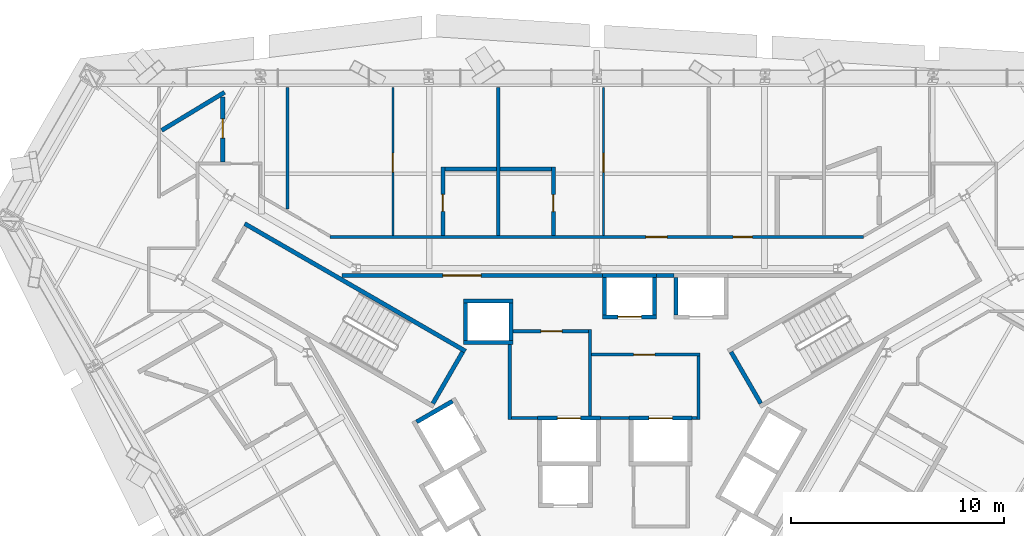
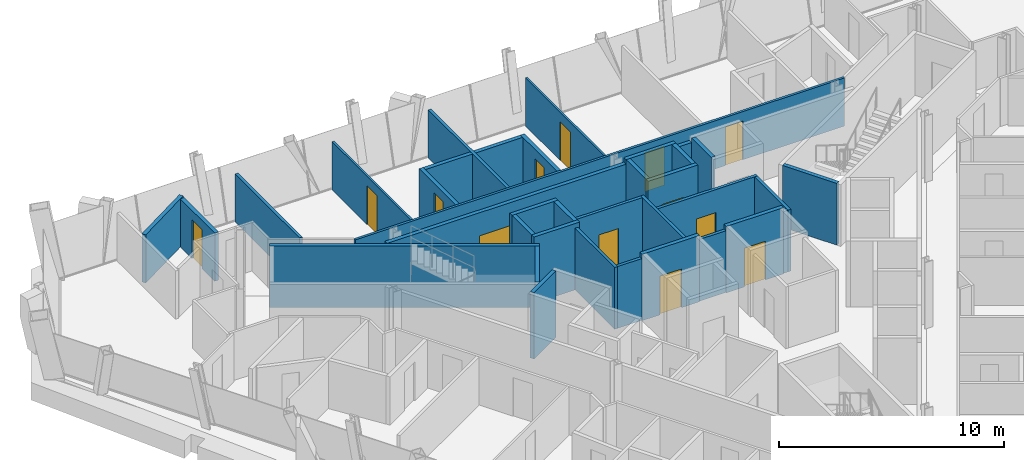
# One storey, part 10 of 13: 36 walls, 13 doors, 13 openings.
"""IFC4 building model written with IfcOpenShell, lengths in metres."""

from ifc_helpers import new_model, si_unit, direction, frame, frame_2d, origin, place, context, subcontext, project, spatial, rectangle, extrude, material, layer, layer_set, type_object, element, fill, save


model = new_model("IFC4")

# Units and contexts
model_context = context("Model", 3, precision=1e-05, world=origin(), true_north=direction((0.0, 1.0)))
body_context = subcontext(model_context, "Body", "Model", "MODEL_VIEW")
ifc_project = project(units=[si_unit("LENGTHUNIT", "METRE"), si_unit("AREAUNIT", "SQUARE_METRE"), si_unit("VOLUMEUNIT", "CUBIC_METRE"), si_unit("PLANEANGLEUNIT", "RADIAN"), si_unit("MASSUNIT", "GRAM", prefix="KILO")], contexts=[model_context])

# Site, building, storey
site_placement = place(None, origin())
site = spatial("IfcSite", under=ifc_project, at=site_placement, CompositionType="ELEMENT")
building_placement = place(site_placement, origin())
building = spatial("IfcBuilding", under=site, at=building_placement, Name="Verrane Prism Tower", CompositionType="ELEMENT")
storey_placement = place(building_placement, frame((0.0, 0.0, 100.0)))
storey = spatial("IfcBuildingStorey", under=building, at=storey_placement, Name="L23", CompositionType="ELEMENT", Elevation=100.0)

# Wall, opening, door
ifc_material_1 = material(Name="Gypsum board partition", Category="other")
ifc_layer_1 = layer(ifc_material_1, 0.199951171875)
ifc_layer_set_1 = layer_set([ifc_layer_1], Name="CW-200 core boundary wall 2 h")
wall_type_1 = type_object("IfcWallType", Name="CW-200 core boundary wall 2 h", PredefinedType="PARTITIONING", material=ifc_layer_set_1)
wall_1_placement = place(storey_placement, frame((0.262939453125, 8.860107421875, 0.0), z_axis=(0.0, 0.0, 1.0), x_axis=(-1.0, 0.0, 0.0)))
wall_1 = element("IfcWall", 1, at=wall_1_placement, inside=storey, type_object=wall_type_1, Name="Core boundary wall CW3-002", PredefinedType="PARTITIONING", context=body_context, shape_type="SweptSolid", body=[
    extrude(rectangle(XDim=12.25390625, YDim=0.199951171875, at=frame_2d((6.126953125, 0.0))), origin(), (0.0, 0.0, 1.0), 3.35009765625),
])
opening_1_placement = place(wall_1_placement, frame((5.708984375, 0.0, 0.0)))
opening_1 = element("IfcOpeningElement", 2, at=opening_1_placement, cuts=wall_1, Name="Opening D21511", PredefinedType="OPENING", context=body_context, shape_type="SweptSolid", body=[
    extrude(rectangle(XDim=1.800048828125, YDim=2.10009765625, at=frame_2d((0.89990234375, 1.050048828125))), frame((0.0, 0.10986328125, 0.0), z_axis=(0.0, -1.0, 0.0), x_axis=(1.0, 0.0, 0.0)), (0.0, 0.0, 1.0), 0.219970703125),
])
ifc_material_2 = material(Name="Timber veneered door leaf", Category="wood")
door_type_1 = type_object("IfcDoorType", Name="DR-1800x2100 FD60 double leaf lift lobby", OperationType="NOTDEFINED", PredefinedType="DOOR", material=ifc_material_2)
door_1_placement = place(opening_1_placement, origin())
door_1 = element("IfcDoor", 3, at=door_1_placement, inside=storey, type_object=door_type_1, Name="Lift lobby door D21511", OperationType="DOUBLE_DOOR_SINGLE_SWING", OverallHeight=2.10009765625, OverallWidth=1.800048828125, PredefinedType="DOOR", context=body_context, shape_type="SweptSolid", body=[
    extrude(rectangle(XDim=1.800048828125, YDim=2.10009765625, at=frame_2d((0.89990234375, 1.050048828125))), frame((0.0, 0.02490234375, 0.0), z_axis=(0.0, -1.0, 0.0), x_axis=(1.0, 0.0, 0.0)), (0.0, 0.0, 1.0), 0.050048828125),
])
fill(opening_1, door_1)

# Walls
wall_2_placement = place(storey_placement, frame((2.81689453125, 8.860107421875, 0.0), z_axis=(0.0, 0.0, 1.0), x_axis=(1.0, 0.0, 0.0)))
element("IfcWall", 4, at=wall_2_placement, inside=storey, type_object=wall_type_1, Name="Core boundary wall CW3-004", PredefinedType="PARTITIONING", context=body_context, shape_type="SweptSolid", body=[
    extrude(rectangle(XDim=0.80615234375, YDim=0.199951171875, at=frame_2d((0.403076171875, 0.0))), origin(), (0.0, 0.0, 1.0), 3.35009765625),
])
ifc_material_3 = material(Name="Concrete C40/50", Category="concrete")
ifc_layer_2 = layer(ifc_material_3, 0.199951171875)
ifc_layer_set_2 = layer_set([ifc_layer_2], Name="CW-200 stair core wall concrete C40/50 3 h")
wall_type_2 = type_object("IfcWallType", Name="CW-200 stair core wall concrete C40/50 3 h", PredefinedType="PARTITIONING", material=ifc_layer_set_2)
wall_3_placement = place(storey_placement, frame((7.71484375, 2.837646484375, 0.0), z_axis=(0.0, 0.0, 1.0), x_axis=(-0.500049511043, 0.865996816683, 0.0)))
element("IfcWall", 5, at=wall_3_placement, inside=storey, type_object=wall_type_2, Name="Stair 1 enclosure wall", PredefinedType="PARTITIONING", context=body_context, shape_type="SweptSolid", body=[
    extrude(rectangle(XDim=2.800048828125, YDim=0.199951171875, at=frame_2d((1.39990234375, 0.0))), origin(), (0.0, 0.0, 1.0), 3.35009765625),
])
wall_4_placement = place(storey_placement, frame((-6.17822265625, 5.299072265625, 0.0), z_axis=(0.0, 0.0, 1.0), x_axis=(-0.866026010844, 0.49999894854, 0.0)))
element("IfcWall", 6, at=wall_4_placement, inside=storey, type_object=wall_type_2, Name="Stair 2 enclosure wall", PredefinedType="PARTITIONING", context=body_context, shape_type="SweptSolid", body=[
    extrude(rectangle(XDim=12.0, YDim=0.199951171875, at=frame_2d((6.0, 0.0))), origin(), (0.0, 0.0, 1.0), 3.35009765625),
])
wall_5_placement = place(storey_placement, frame((-6.314697265625, 5.262451171875, 0.0), z_axis=(0.0, 0.0, 1.0), x_axis=(-0.500049511043, -0.865996816683, 0.0)))
element("IfcWall", 7, at=wall_5_placement, inside=storey, type_object=wall_type_2, Name="Stair 2 enclosure wall", PredefinedType="PARTITIONING", context=body_context, shape_type="SweptSolid", body=[
    extrude(rectangle(XDim=2.800048828125, YDim=0.199951171875, at=frame_2d((1.39990234375, 0.0))), origin(), (0.0, 0.0, 1.0), 3.35009765625),
])

# Wall, opening, door
ifc_material_4 = material(Name="Gypsum board shaft wall assembly", Category="other")
ifc_layer_3 = layer(ifc_material_4, 0.199951171875)
ifc_layer_set_3 = layer_set([ifc_layer_3], Name="HW-200 lift shaft wall 2 h")
wall_type_3 = type_object("IfcWallType", Name="HW-200 lift shaft wall 2 h", PredefinedType="PARTITIONING", material=ifc_layer_set_3)
wall_6_placement = place(storey_placement, frame((-2.784912109375, 2.14990234375, 0.0), z_axis=(0.0, 0.0, 1.0), x_axis=(1.0, 0.0, 0.0)))
wall_6 = element("IfcWall", 8, at=wall_6_placement, inside=storey, type_object=wall_type_3, Name="Lift shaft wall", PredefinedType="PARTITIONING", context=body_context, shape_type="SweptSolid", body=[
    extrude(rectangle(XDim=2.949951171875, YDim=0.199951171875, at=frame_2d((1.47509765625, 0.0))), origin(), (0.0, 0.0, 1.0), 3.60009765625),
])
opening_2_placement = place(wall_6_placement, frame((0.925048828125, 0.0, 0.0)))
opening_2 = element("IfcOpeningElement", 9, at=opening_2_placement, cuts=wall_6, Name="Opening D21508", PredefinedType="OPENING", context=body_context, shape_type="SweptSolid", body=[
    extrude(rectangle(XDim=1.10009765625, YDim=2.10009765625, at=frame_2d((0.550048828125, 1.050048828125))), frame((0.0, 0.10986328125, 0.0), z_axis=(0.0, -1.0, 0.0), x_axis=(1.0, 0.0, 0.0)), (0.0, 0.0, 1.0), 0.219970703125),
])
ifc_material_5 = material(Name="Stainless steel sliding landing door", Category="steel")
door_type_2 = type_object("IfcDoorType", Name="LD-1100x2100 lift landing door FD90 sliding", OperationType="NOTDEFINED", PredefinedType="DOOR", material=ifc_material_5)
door_2_placement = place(opening_2_placement, origin())
door_2 = element("IfcDoor", 10, at=door_2_placement, inside=storey, type_object=door_type_2, Name="Fire service lift 1 landing door", OperationType="SLIDING_TO_LEFT", OverallHeight=2.10009765625, OverallWidth=1.10009765625, PredefinedType="DOOR", context=body_context, shape_type="SweptSolid", body=[
    extrude(rectangle(XDim=1.10009765625, YDim=2.10009765625, at=frame_2d((0.550048828125, 1.050048828125))), frame((0.0, 0.02490234375, 0.0), z_axis=(0.0, -1.0, 0.0), x_axis=(1.0, 0.0, 0.0)), (0.0, 0.0, 1.0), 0.050048828125),
])
fill(opening_2, door_2)

wall_7_placement = place(storey_placement, frame((1.52490234375, 2.14990234375, 0.0), z_axis=(0.0, 0.0, 1.0), x_axis=(1.0, 0.0, 0.0)))
wall_7 = element("IfcWall", 11, at=wall_7_placement, inside=storey, type_object=wall_type_3, Name="Lift shaft wall", PredefinedType="PARTITIONING", context=body_context, shape_type="SweptSolid", body=[
    extrude(rectangle(XDim=2.9501953125, YDim=0.199951171875, at=frame_2d((1.47509765625, 0.0))), origin(), (0.0, 0.0, 1.0), 3.60009765625),
])
opening_3_placement = place(wall_7_placement, frame((0.925048828125, 0.0, 0.0)))
opening_3 = element("IfcOpeningElement", 12, at=opening_3_placement, cuts=wall_7, Name="Opening D21509", PredefinedType="OPENING", context=body_context, shape_type="SweptSolid", body=[
    extrude(rectangle(XDim=1.10009765625, YDim=2.10009765625, at=frame_2d((0.550048828125, 1.050048828125))), frame((0.0, 0.10986328125, 0.0), z_axis=(0.0, -1.0, 0.0), x_axis=(1.0, 0.0, 0.0)), (0.0, 0.0, 1.0), 0.219970703125),
])
door_3_placement = place(opening_3_placement, origin())
door_3 = element("IfcDoor", 13, at=door_3_placement, inside=storey, type_object=door_type_2, Name="Fire service lift 2 landing door", OperationType="SLIDING_TO_RIGHT", OverallHeight=2.10009765625, OverallWidth=1.10009765625, PredefinedType="DOOR", context=body_context, shape_type="SweptSolid", body=[
    extrude(rectangle(XDim=1.10009765625, YDim=2.10009765625, at=frame_2d((0.550048828125, 1.050048828125))), frame((0.0, 0.02490234375, 0.0), z_axis=(0.0, -1.0, 0.0), x_axis=(1.0, 0.0, 0.0)), (0.0, 0.0, 1.0), 0.050048828125),
])
fill(opening_3, door_3)

# Wall
wall_8_placement = place(storey_placement, frame((-6.284912109375, 5.7099609375, 0.0), z_axis=(0.0, 0.0, 1.0), x_axis=(1.0, 0.0, 0.0)))
element("IfcWall", 14, at=wall_8_placement, inside=storey, type_object=wall_type_3, Name="Lift shaft wall", PredefinedType="PARTITIONING", context=body_context, shape_type="SweptSolid", body=[
    extrude(rectangle(XDim=2.349853515625, YDim=0.199951171875, at=frame_2d((1.1748046875, 0.0))), origin(), (0.0, 0.0, 1.0), 3.60009765625),
])

# Wall, opening, door
wall_9_placement = place(storey_placement, frame((0.264892578125, 6.909912109375, 0.0), z_axis=(0.0, 0.0, 1.0), x_axis=(1.0, 0.0, 0.0)))
wall_9 = element("IfcWall", 15, at=wall_9_placement, inside=storey, type_object=wall_type_3, Name="Lift shaft wall", PredefinedType="PARTITIONING", context=body_context, shape_type="SweptSolid", body=[
    extrude(rectangle(XDim=2.550048828125, YDim=0.199951171875, at=frame_2d((1.27490234375, 0.0))), origin(), (0.0, 0.0, 1.0), 3.60009765625),
])
opening_4_placement = place(wall_9_placement, frame((0.72509765625, 0.0, 0.0)))
opening_4 = element("IfcOpeningElement", 16, at=opening_4_placement, cuts=wall_9, Name="Opening D21503", PredefinedType="OPENING", context=body_context, shape_type="SweptSolid", body=[
    extrude(rectangle(XDim=1.10009765625, YDim=2.10009765625, at=frame_2d((0.550048828125, 1.050048828125))), frame((0.0, 0.10986328125, 0.0), z_axis=(0.0, -1.0, 0.0), x_axis=(1.0, 0.0, 0.0)), (0.0, 0.0, 1.0), 0.219970703125),
])
door_4_placement = place(opening_4_placement, origin())
door_4 = element("IfcDoor", 17, at=door_4_placement, inside=storey, type_object=door_type_2, Name="Bank A lift 1 landing door", OperationType="SLIDING_TO_LEFT", OverallHeight=2.10009765625, OverallWidth=1.10009765625, PredefinedType="DOOR", context=body_context, shape_type="SweptSolid", body=[
    extrude(rectangle(XDim=1.10009765625, YDim=2.10009765625, at=frame_2d((0.550048828125, 1.050048828125))), frame((0.0, 0.02490234375, 0.0), z_axis=(0.0, -1.0, 0.0), x_axis=(1.0, 0.0, 0.0)), (0.0, 0.0, 1.0), 0.050048828125),
])
fill(opening_4, door_4)

# Walls
wall_10_placement = place(storey_placement, frame((-6.284912109375, 7.659912109375, 0.0), z_axis=(0.0, 0.0, 1.0), x_axis=(1.0, 0.0, 0.0)))
element("IfcWall", 18, at=wall_10_placement, inside=storey, type_object=wall_type_3, Name="Lift shaft wall", PredefinedType="PARTITIONING", context=body_context, shape_type="SweptSolid", body=[
    extrude(rectangle(XDim=2.349853515625, YDim=0.199951171875, at=frame_2d((1.1748046875, 0.0))), origin(), (0.0, 0.0, 1.0), 3.60009765625),
])
wall_11_placement = place(storey_placement, frame((0.264892578125, 8.860107421875, 0.0), z_axis=(0.0, 0.0, 1.0), x_axis=(1.0, 0.0, 0.0)))
element("IfcWall", 19, at=wall_11_placement, inside=storey, type_object=wall_type_3, Name="Lift shaft wall", PredefinedType="PARTITIONING", context=body_context, shape_type="SweptSolid", body=[
    extrude(rectangle(XDim=2.550048828125, YDim=0.199951171875, at=frame_2d((1.27490234375, 0.0))), origin(), (0.0, 0.0, 1.0), 3.60009765625),
])
wall_12_placement = place(storey_placement, frame((-8.48046875, 1.968505859375, 0.0), z_axis=(0.0, 0.0, 1.0), x_axis=(0.866000020948, 0.500043961785, 0.0)))
element("IfcWall", 20, at=wall_12_placement, inside=storey, type_object=wall_type_3, Name="Lift shaft wall", PredefinedType="PARTITIONING", context=body_context, shape_type="SweptSolid", body=[
    extrude(rectangle(XDim=1.949951171875, YDim=0.199951171875, at=frame_2d((0.97509765625, 0.0))), origin(), (0.0, 0.0, 1.0), 3.60009765625),
])
for number, where, z_axis, x_axis, name in (
    (21, (3.72509765625, 7.010009765625, 0.0), (0.0, 0.0, 1.0), (0.0, 1.0, 0.0), "Lift shaft wall"),
    (22, (2.715087890625, 7.010009765625, 0.0), (0.0, 0.0, 1.0), (0.0, 1.0, 0.0), "Lift shaft wall"),
    (23, (0.364990234375, 7.010009765625, 0.0), (0.0, 0.0, 1.0), (0.0, 1.0, 0.0), "Lift shaft wall"),
    (24, (-4.034912109375, 5.81005859375, 0.0), (0.0, 0.0, 1.0), (0.0, 1.0, 0.0), "Lift shaft wall"),
    (25, (-6.18505859375, 5.81005859375, 0.0), (0.0, 0.0, 1.0), (0.0, 1.0, 0.0), "Lift shaft wall"),
):
    element("IfcWall", number, at=place(storey_placement, frame(where, z_axis=z_axis, x_axis=x_axis)), inside=storey, type_object=wall_type_3, Name=name, PredefinedType="PARTITIONING", context=body_context, shape_type="SweptSolid", body=[
        extrude(rectangle(XDim=1.75, YDim=0.199951171875, at=frame_2d((0.875, 0.0))), origin(), (0.0, 0.0, 1.0), 3.60009765625),
    ])
ifc_material_6 = material(Name="Gypsum board partition", Category="other")
ifc_layer_4 = layer(ifc_material_6, 0.14990234375)
ifc_layer_set_4 = layer_set([ifc_layer_4], Name="LF-150 firefighting lobby wall 1 h")
wall_type_4 = type_object("IfcWallType", Name="LF-150 firefighting lobby wall 1 h", PredefinedType="PARTITIONING", material=ifc_layer_set_4)
wall_13_placement = place(storey_placement, frame((-4.10009765625, 2.0849609375, 0.0), z_axis=(0.0, 0.0, 1.0), x_axis=(0.0, 1.0, 0.0)))
element("IfcWall", 26, at=wall_13_placement, inside=storey, type_object=wall_type_4, Name="Firefighting lobby wall LF1-001", PredefinedType="PARTITIONING", context=body_context, shape_type="SweptSolid", body=[
    extrude(rectangle(XDim=3.52294921875, YDim=0.14990234375, at=frame_2d((1.761474609375, 0.0))), origin(), (0.0, 0.0, 1.0), 3.35009765625),
])
wall_14_placement = place(storey_placement, frame((-4.02490234375, 2.159912109375, 0.0), z_axis=(0.0, 0.0, 1.0), x_axis=(1.0, 0.0, 0.0)))
element("IfcWall", 27, at=wall_14_placement, inside=storey, type_object=wall_type_4, Name="Firefighting lobby wall LF1-002", PredefinedType="PARTITIONING", context=body_context, shape_type="SweptSolid", body=[
    extrude(rectangle(XDim=1.23779296875, YDim=0.14990234375, at=frame_2d((0.618896484375, 0.0))), origin(), (0.0, 0.0, 1.0), 3.35009765625),
])

# Wall, opening, door
wall_15_placement = place(storey_placement, frame((-3.93310546875, 6.239990234375, 0.0), z_axis=(0.0, 0.0, 1.0), x_axis=(1.0, 0.0, 0.0)))
wall_15 = element("IfcWall", 28, at=wall_15_placement, inside=storey, type_object=wall_type_4, Name="Firefighting lobby wall LF1-003", PredefinedType="PARTITIONING", context=body_context, shape_type="SweptSolid", body=[
    extrude(rectangle(XDim=3.5380859375, YDim=0.14990234375, at=frame_2d((1.76904296875, 0.0))), origin(), (0.0, 0.0, 1.0), 3.35009765625),
])
opening_5_placement = place(wall_15_placement, frame((1.300048828125, 0.0, 0.0)))
opening_5 = element("IfcOpeningElement", 29, at=opening_5_placement, cuts=wall_15, Name="Opening D21515", PredefinedType="OPENING", context=body_context, shape_type="SweptSolid", body=[
    extrude(rectangle(XDim=1.0, YDim=2.10009765625, at=frame_2d((0.5, 1.050048828125))), frame((0.0, 0.0849609375, 0.0), z_axis=(0.0, -1.0, 0.0), x_axis=(1.0, 0.0, 0.0)), (0.0, 0.0, 1.0), 0.169921875),
])
ifc_material_7 = material(Name="Timber veneered door leaf", Category="wood")
door_type_3 = type_object("IfcDoorType", Name="DR-1000x2100 FD60 single leaf firefighting lobby", OperationType="NOTDEFINED", PredefinedType="DOOR", material=ifc_material_7)
door_5_placement = place(opening_5_placement, origin())
door_5 = element("IfcDoor", 30, at=door_5_placement, inside=storey, type_object=door_type_3, Name="Firefighting lobby door D21515", OperationType="SINGLE_SWING_LEFT", OverallHeight=2.10009765625, OverallWidth=1.0, PredefinedType="DOOR", context=body_context, shape_type="SweptSolid", body=[
    extrude(rectangle(XDim=1.0, YDim=2.10009765625, at=frame_2d((0.5, 1.050048828125))), frame((0.0, 0.02490234375, 0.0), z_axis=(0.0, -1.0, 0.0), x_axis=(1.0, 0.0, 0.0)), (0.0, 0.0, 1.0), 0.050048828125),
])
fill(opening_5, door_5)

# Wall
wall_16_placement = place(storey_placement, frame((-0.320068359375, 2.251953125, 0.0), z_axis=(0.0, 0.0, 1.0), x_axis=(0.0, 1.0, 0.0)))
element("IfcWall", 31, at=wall_16_placement, inside=storey, type_object=wall_type_4, Name="Firefighting lobby wall LF1-004", PredefinedType="PARTITIONING", context=body_context, shape_type="SweptSolid", body=[
    extrude(rectangle(XDim=4.06298828125, YDim=0.14990234375, at=frame_2d((2.031494140625, 0.0))), origin(), (0.0, 0.0, 1.0), 3.35009765625),
])

# Wall, opening, door
wall_17_placement = place(storey_placement, frame((-0.2451171875, 5.139892578125, 0.0), z_axis=(0.0, 0.0, 1.0), x_axis=(1.0, 0.0, 0.0)))
wall_17 = element("IfcWall", 32, at=wall_17_placement, inside=storey, type_object=wall_type_4, Name="Firefighting lobby wall LF1-005", PredefinedType="PARTITIONING", context=body_context, shape_type="SweptSolid", body=[
    extrude(rectangle(XDim=5.110107421875, YDim=0.14990234375, at=frame_2d((2.55517578125, 0.0))), origin(), (0.0, 0.0, 1.0), 3.35009765625),
])
opening_6_placement = place(wall_17_placement, frame((1.97509765625, 0.0, 0.0)))
opening_6 = element("IfcOpeningElement", 33, at=opening_6_placement, cuts=wall_17, Name="Opening D21516", PredefinedType="OPENING", context=body_context, shape_type="SweptSolid", body=[
    extrude(rectangle(XDim=1.0, YDim=2.10009765625, at=frame_2d((0.5, 1.050048828125))), frame((0.0, 0.0849609375, 0.0), z_axis=(0.0, -1.0, 0.0), x_axis=(1.0, 0.0, 0.0)), (0.0, 0.0, 1.0), 0.169921875),
])
door_6_placement = place(opening_6_placement, origin())
door_6 = element("IfcDoor", 34, at=door_6_placement, inside=storey, type_object=door_type_3, Name="Firefighting lobby door D21516", OperationType="SINGLE_SWING_RIGHT", OverallHeight=2.10009765625, OverallWidth=1.0, PredefinedType="DOOR", context=body_context, shape_type="SweptSolid", body=[
    extrude(rectangle(XDim=1.0, YDim=2.10009765625, at=frame_2d((0.5, 1.050048828125))), frame((0.0, 0.02490234375, 0.0), z_axis=(0.0, -1.0, 0.0), x_axis=(1.0, 0.0, 0.0)), (0.0, 0.0, 1.0), 0.050048828125),
])
fill(opening_6, door_6)

# Walls
wall_18_placement = place(storey_placement, frame((0.1669921875, 2.159912109375, 0.0), z_axis=(0.0, 0.0, 1.0), x_axis=(1.0, 0.0, 0.0)))
element("IfcWall", 35, at=wall_18_placement, inside=storey, type_object=wall_type_4, Name="Firefighting lobby wall LF1-006", PredefinedType="PARTITIONING", context=body_context, shape_type="SweptSolid", body=[
    extrude(rectangle(XDim=1.35595703125, YDim=0.14990234375, at=frame_2d((0.677978515625, 0.0))), origin(), (0.0, 0.0, 1.0), 3.35009765625),
])
wall_19_placement = place(storey_placement, frame((4.47705078125, 2.159912109375, 0.0), z_axis=(0.0, 0.0, 1.0), x_axis=(1.0, 0.0, 0.0)))
element("IfcWall", 36, at=wall_19_placement, inside=storey, type_object=wall_type_4, Name="Firefighting lobby wall LF1-007", PredefinedType="PARTITIONING", context=body_context, shape_type="SweptSolid", body=[
    extrude(rectangle(XDim=0.238037109375, YDim=0.14990234375, at=frame_2d((0.119140625, 0.0))), origin(), (0.0, 0.0, 1.0), 3.35009765625),
])
wall_20_placement = place(storey_placement, frame((4.7900390625, 2.0849609375, 0.0), z_axis=(0.0, 0.0, 1.0), x_axis=(0.0, 1.0, 0.0)))
element("IfcWall", 37, at=wall_20_placement, inside=storey, type_object=wall_type_4, Name="Firefighting lobby wall LF1-008", PredefinedType="PARTITIONING", context=body_context, shape_type="SweptSolid", body=[
    extrude(rectangle(XDim=2.97998046875, YDim=0.14990234375, at=frame_2d((1.489990234375, 0.0))), origin(), (0.0, 0.0, 1.0), 3.35009765625),
])

# Wall, opening, door
ifc_material_8 = material(Name="Gypsum board partition", Category="other")
ifc_layer_5 = layer(ifc_material_8, 0.10009765625)
ifc_layer_set_5 = layer_set([ifc_layer_5], Name="PW-100 room partition")
wall_type_5 = type_object("IfcWallType", Name="PW-100 room partition", PredefinedType="PARTITIONING", material=ifc_layer_set_5)
wall_21_placement = place(storey_placement, frame((-9.596923828125, 17.715087890625, 0.0), z_axis=(0.0, 0.0, 1.0), x_axis=(0.0, -1.0, 0.0)))
wall_21 = element("IfcWall", 38, at=wall_21_placement, inside=storey, type_object=wall_type_5, Name="Room partition 032", PredefinedType="PARTITIONING", context=body_context, shape_type="SweptSolid", body=[
    extrude(rectangle(XDim=6.981689453125, YDim=0.10009765625, at=frame_2d((3.49072265625, 0.0))), origin(), (0.0, 0.0, 1.0), 2.613037109375),
])
opening_7_placement = place(wall_21_placement, frame((3.093994140625, 0.0, 0.0)))
opening_7 = element("IfcOpeningElement", 39, at=opening_7_placement, cuts=wall_21, Name="Opening D21021", PredefinedType="OPENING", context=body_context, shape_type="SweptSolid", body=[
    extrude(rectangle(XDim=0.89990234375, YDim=2.10009765625, at=frame_2d((0.449951171875, 1.050048828125))), frame((0.0, 0.06005859375, 0.0), z_axis=(0.0, -1.0, 0.0), x_axis=(1.0, 0.0, 0.0)), (0.0, 0.0, 1.0), 0.1201171875),
])
ifc_material_9 = material(Name="Timber veneered door leaf", Category="wood")
door_type_4 = type_object("IfcDoorType", Name="DR-900x2100 single leaf inner", OperationType="NOTDEFINED", PredefinedType="DOOR", material=ifc_material_9)
door_7_placement = place(opening_7_placement, origin())
door_7 = element("IfcDoor", 40, at=door_7_placement, inside=storey, type_object=door_type_4, Name="Suite Living Room door", OperationType="SINGLE_SWING_RIGHT", OverallHeight=2.10009765625, OverallWidth=0.89990234375, PredefinedType="DOOR", context=body_context, shape_type="SweptSolid", body=[
    extrude(rectangle(XDim=0.89990234375, YDim=2.10009765625, at=frame_2d((0.449951171875, 1.050048828125))), frame((0.0, 0.02490234375, 0.0), z_axis=(0.0, -1.0, 0.0), x_axis=(1.0, 0.0, 0.0)), (0.0, 0.0, 1.0), 0.050048828125),
])
fill(opening_7, door_7)

wall_22_placement = place(storey_placement, frame((0.31298828125, 10.7333984375, 0.0), z_axis=(0.0, 0.0, 1.0), x_axis=(0.0, 1.0, 0.0)))
wall_22 = element("IfcWall", 41, at=wall_22_placement, inside=storey, type_object=wall_type_5, Name="Room partition 053", PredefinedType="PARTITIONING", context=body_context, shape_type="SweptSolid", body=[
    extrude(rectangle(XDim=6.981689453125, YDim=0.10009765625, at=frame_2d((3.49072265625, 0.0))), origin(), (0.0, 0.0, 1.0), 2.613037109375),
])
opening_8_placement = place(wall_22_placement, frame((2.987548828125, 0.0, 0.0)))
opening_8 = element("IfcOpeningElement", 42, at=opening_8_placement, cuts=wall_22, Name="Opening D21018", PredefinedType="OPENING", context=body_context, shape_type="SweptSolid", body=[
    extrude(rectangle(XDim=0.89990234375, YDim=2.10009765625, at=frame_2d((0.449951171875, 1.050048828125))), frame((0.0, 0.06005859375, 0.0), z_axis=(0.0, -1.0, 0.0), x_axis=(1.0, 0.0, 0.0)), (0.0, 0.0, 1.0), 0.1201171875),
])
door_8_placement = place(opening_8_placement, origin())
door_8 = element("IfcDoor", 43, at=door_8_placement, inside=storey, type_object=door_type_4, Name="Suite Living Room door", OperationType="SINGLE_SWING_RIGHT", OverallHeight=2.10009765625, OverallWidth=0.89990234375, PredefinedType="DOOR", context=body_context, shape_type="SweptSolid", body=[
    extrude(rectangle(XDim=0.89990234375, YDim=2.10009765625, at=frame_2d((0.449951171875, 1.050048828125))), frame((0.0, 0.02490234375, 0.0), z_axis=(0.0, -1.0, 0.0), x_axis=(1.0, 0.0, 0.0)), (0.0, 0.0, 1.0), 0.050048828125),
])
fill(opening_8, door_8)

# Wall, openings, doors
ifc_material_10 = material(Name="Gypsum board partition", Category="other")
ifc_layer_6 = layer(ifc_material_10, 0.125)
ifc_layer_set_6 = layer_set([ifc_layer_6], Name="PW-125 corridor wall 1 h")
wall_type_6 = type_object("IfcWallType", Name="PW-125 corridor wall 1 h", PredefinedType="PARTITIONING", material=ifc_layer_set_6)
wall_23_placement = place(storey_placement, frame((-12.54443359375, 10.6708984375, 0.0), z_axis=(0.0, 0.0, 1.0), x_axis=(1.0, 0.0, 0.0)))
wall_23 = element("IfcWall", 44, at=wall_23_placement, inside=storey, type_object=wall_type_6, Name="Corridor wall 027", PredefinedType="PARTITIONING", context=body_context, shape_type="SweptSolid", body=[
    extrude(rectangle(XDim=25.0888671875, YDim=0.125, at=frame_2d((12.54443359375, 0.0))), origin(), (0.0, 0.0, 1.0), 2.613037109375),
])
opening_9_placement = place(wall_23_placement, frame((18.96240234375, 0.0, 0.0)))
opening_9 = element("IfcOpeningElement", 45, at=opening_9_placement, cuts=wall_23, Name="Opening D21015", PredefinedType="OPENING", context=body_context, shape_type="SweptSolid", body=[
    extrude(rectangle(XDim=0.89990234375, YDim=2.10009765625, at=frame_2d((0.449951171875, 1.050048828125))), frame((0.0, 0.072509765625, 0.0), z_axis=(0.0, -1.0, 0.0), x_axis=(1.0, 0.0, 0.0)), (0.0, 0.0, 1.0), 0.14501953125),
])
opening_10_placement = place(wall_23_placement, frame((14.857421875, 0.0, 0.0)))
opening_10 = element("IfcOpeningElement", 46, at=opening_10_placement, cuts=wall_23, Name="Opening D21017", PredefinedType="OPENING", context=body_context, shape_type="SweptSolid", body=[
    extrude(rectangle(XDim=1.0, YDim=2.10009765625, at=frame_2d((0.5, 1.050048828125))), frame((0.0, 0.072509765625, 0.0), z_axis=(0.0, -1.0, 0.0), x_axis=(1.0, 0.0, 0.0)), (0.0, 0.0, 1.0), 0.14501953125),
])
ifc_material_11 = material(Name="Timber veneered door leaf", Category="wood")
door_type_5 = type_object("IfcDoorType", Name="DR-1000x2100 FD20 single leaf unit", OperationType="NOTDEFINED", PredefinedType="DOOR", material=ifc_material_11)
door_9_placement = place(opening_10_placement, origin())
door_9 = element("IfcDoor", 47, at=door_9_placement, inside=storey, type_object=door_type_5, Name="Suite Living Room door", OperationType="SINGLE_SWING_LEFT", OverallHeight=2.10009765625, OverallWidth=1.0, PredefinedType="DOOR", context=body_context, shape_type="SweptSolid", body=[
    extrude(rectangle(XDim=1.0, YDim=2.10009765625, at=frame_2d((0.5, 1.050048828125))), frame((0.0, 0.02490234375, 0.0), z_axis=(0.0, -1.0, 0.0), x_axis=(1.0, 0.0, 0.0)), (0.0, 0.0, 1.0), 0.050048828125),
])
fill(opening_10, door_9)
ifc_material_12 = material(Name="Timber veneered door leaf", Category="wood")
door_type_6 = type_object("IfcDoorType", Name="DR-900x2100 FD20 single leaf unit", OperationType="NOTDEFINED", PredefinedType="DOOR", material=ifc_material_12)
door_10_placement = place(opening_9_placement, origin())
door_10 = element("IfcDoor", 48, at=door_10_placement, inside=storey, type_object=door_type_6, Name="Guest Room door", OperationType="SINGLE_SWING_LEFT", OverallHeight=2.10009765625, OverallWidth=0.89990234375, PredefinedType="DOOR", context=body_context, shape_type="SweptSolid", body=[
    extrude(rectangle(XDim=0.89990234375, YDim=2.10009765625, at=frame_2d((0.449951171875, 1.050048828125))), frame((0.0, 0.02490234375, 0.0), z_axis=(0.0, -1.0, 0.0), x_axis=(1.0, 0.0, 0.0)), (0.0, 0.0, 1.0), 0.050048828125),
])
fill(opening_9, door_10)

# Walls
ifc_material_13 = material(Name="Gypsum board partition", Category="other")
ifc_layer_7 = layer(ifc_material_13, 0.14990234375)
ifc_layer_set_7 = layer_set([ifc_layer_7], Name="PW-150 demising wall 1 h")
wall_type_7 = type_object("IfcWallType", Name="PW-150 demising wall 1 h", PredefinedType="PARTITIONING", material=ifc_layer_set_7)
wall_24_placement = place(storey_placement, frame((-14.552001953125, 11.9814453125, 0.0), z_axis=(0.0, 0.0, 1.0), x_axis=(0.0, 1.0, 0.0)))
element("IfcWall", 49, at=wall_24_placement, inside=storey, type_object=wall_type_7, Name="Demising wall 024", PredefinedType="PARTITIONING", context=body_context, shape_type="SweptSolid", body=[
    extrude(rectangle(XDim=5.733642578125, YDim=0.14990234375, at=frame_2d((2.86669921875, 0.0))), origin(), (0.0, 0.0, 1.0), 2.613037109375),
])
wall_25_placement = place(storey_placement, frame((-4.64208984375, 10.7333984375, 0.0), z_axis=(0.0, 0.0, 1.0), x_axis=(0.0, 1.0, 0.0)))
element("IfcWall", 50, at=wall_25_placement, inside=storey, type_object=wall_type_7, Name="Demising wall 044", PredefinedType="PARTITIONING", context=body_context, shape_type="SweptSolid", body=[
    extrude(rectangle(XDim=6.981689453125, YDim=0.14990234375, at=frame_2d((3.49072265625, 0.0))), origin(), (0.0, 0.0, 1.0), 2.613037109375),
])
ifc_material_14 = material(Name="Gypsum board partition", Category="other")
ifc_layer_8 = layer(ifc_material_14, 0.199951171875)
ifc_layer_set_8 = layer_set([ifc_layer_8], Name="PW-200 plumbing wall")
wall_type_8 = type_object("IfcWallType", Name="PW-200 plumbing wall", PredefinedType="PARTITIONING", material=ifc_layer_set_8)
wall_26_placement = place(storey_placement, frame((-20.476318359375, 15.687744140625, 0.0), z_axis=(0.0, 0.0, 1.0), x_axis=(0.855493496237, 0.517813555148, 0.0)))
element("IfcWall", 51, at=wall_26_placement, inside=storey, type_object=wall_type_8, Name="Plumbing wall 010", PredefinedType="PARTITIONING", context=body_context, shape_type="SweptSolid", body=[
    extrude(rectangle(XDim=3.458740234375, YDim=0.199951171875, at=frame_2d((1.7294921875, 0.0))), origin(), (0.0, 0.0, 1.0), 2.613037109375),
])

# Wall, opening, door
wall_27_placement = place(storey_placement, frame((-17.60302734375, 14.189453125, 0.0), z_axis=(0.0, 0.0, 1.0), x_axis=(0.0, 1.0, 0.0)))
wall_27 = element("IfcWall", 52, at=wall_27_placement, inside=storey, type_object=wall_type_8, Name="Plumbing wall 016", PredefinedType="PARTITIONING", context=body_context, shape_type="SweptSolid", body=[
    extrude(rectangle(XDim=3.0625, YDim=0.199951171875, at=frame_2d((1.53125, 0.0))), origin(), (0.0, 0.0, 1.0), 2.613037109375),
])
opening_11_placement = place(wall_27_placement, frame((1.137451171875, 0.0, 0.0)))
opening_11 = element("IfcOpeningElement", 53, at=opening_11_placement, cuts=wall_27, Name="Opening D21024", PredefinedType="OPENING", context=body_context, shape_type="SweptSolid", body=[
    extrude(rectangle(XDim=0.89990234375, YDim=2.10009765625, at=frame_2d((0.449951171875, 1.050048828125))), frame((0.0, 0.10986328125, 0.0), z_axis=(0.0, -1.0, 0.0), x_axis=(1.0, 0.0, 0.0)), (0.0, 0.0, 1.0), 0.219970703125),
])
ifc_material_15 = material(Name="Timber veneered door leaf", Category="wood")
door_type_7 = type_object("IfcDoorType", Name="DR-900x2100 single leaf bath", OperationType="NOTDEFINED", PredefinedType="DOOR", material=ifc_material_15)
door_11_placement = place(opening_11_placement, origin())
door_11 = element("IfcDoor", 54, at=door_11_placement, inside=storey, type_object=door_type_7, Name="En-Suite door", OperationType="SINGLE_SWING_RIGHT", OverallHeight=2.10009765625, OverallWidth=0.89990234375, PredefinedType="DOOR", context=body_context, shape_type="SweptSolid", body=[
    extrude(rectangle(XDim=0.89990234375, YDim=2.10009765625, at=frame_2d((0.449951171875, 1.050048828125))), frame((0.0, 0.02490234375, 0.0), z_axis=(0.0, -1.0, 0.0), x_axis=(1.0, 0.0, 0.0)), (0.0, 0.0, 1.0), 0.050048828125),
])
fill(opening_11, door_11)

wall_28_placement = place(storey_placement, frame((-7.241943359375, 13.970947265625, 0.0), z_axis=(0.0, 0.0, 1.0), x_axis=(0.0, -1.0, 0.0)))
wall_28 = element("IfcWall", 55, at=wall_28_placement, inside=storey, type_object=wall_type_8, Name="Plumbing wall 038", PredefinedType="PARTITIONING", context=body_context, shape_type="SweptSolid", body=[
    extrude(rectangle(XDim=3.237548828125, YDim=0.199951171875, at=frame_2d((1.61865234375, 0.0))), origin(), (0.0, 0.0, 1.0), 2.613037109375),
])
opening_12_placement = place(wall_28_placement, frame((1.300048828125, 0.0, 0.0)))
opening_12 = element("IfcOpeningElement", 56, at=opening_12_placement, cuts=wall_28, Name="Opening D21022", PredefinedType="OPENING", context=body_context, shape_type="SweptSolid", body=[
    extrude(rectangle(XDim=0.800048828125, YDim=2.10009765625, at=frame_2d((0.39990234375, 1.050048828125))), frame((0.0, 0.10986328125, 0.0), z_axis=(0.0, -1.0, 0.0), x_axis=(1.0, 0.0, 0.0)), (0.0, 0.0, 1.0), 0.219970703125),
])
ifc_material_16 = material(Name="Timber veneered door leaf", Category="wood")
door_type_8 = type_object("IfcDoorType", Name="DR-800x2100 single leaf bath", OperationType="NOTDEFINED", PredefinedType="DOOR", material=ifc_material_16)
door_12_placement = place(opening_12_placement, origin())
door_12 = element("IfcDoor", 57, at=door_12_placement, inside=storey, type_object=door_type_8, Name="En-Suite door", OperationType="SINGLE_SWING_LEFT", OverallHeight=2.10009765625, OverallWidth=0.800048828125, PredefinedType="DOOR", context=body_context, shape_type="SweptSolid", body=[
    extrude(rectangle(XDim=0.800048828125, YDim=2.10009765625, at=frame_2d((0.39990234375, 1.050048828125))), frame((0.0, 0.02490234375, 0.0), z_axis=(0.0, -1.0, 0.0), x_axis=(1.0, 0.0, 0.0)), (0.0, 0.0, 1.0), 0.050048828125),
])
fill(opening_12, door_12)

# Walls
wall_29_placement = place(storey_placement, frame((-7.14208984375, 13.87109375, 0.0), z_axis=(0.0, 0.0, 1.0), x_axis=(1.0, 0.0, 0.0)))
element("IfcWall", 58, at=wall_29_placement, inside=storey, type_object=wall_type_8, Name="Plumbing wall 039", PredefinedType="PARTITIONING", context=body_context, shape_type="SweptSolid", body=[
    extrude(rectangle(XDim=2.420166015625, YDim=0.199951171875, at=frame_2d((1.2099609375, 0.0))), origin(), (0.0, 0.0, 1.0), 2.613037109375),
])
wall_30_placement = place(storey_placement, frame((-4.56201171875, 13.87109375, 0.0), z_axis=(0.0, 0.0, 1.0), x_axis=(1.0, 0.0, 0.0)))
element("IfcWall", 59, at=wall_30_placement, inside=storey, type_object=wall_type_8, Name="Plumbing wall 045", PredefinedType="PARTITIONING", context=body_context, shape_type="SweptSolid", body=[
    extrude(rectangle(XDim=2.419921875, YDim=0.199951171875, at=frame_2d((1.2099609375, 0.0))), origin(), (0.0, 0.0, 1.0), 2.613037109375),
])

# Wall, opening, door
wall_31_placement = place(storey_placement, frame((-2.0419921875, 10.7333984375, 0.0), z_axis=(0.0, 0.0, 1.0), x_axis=(0.0, 1.0, 0.0)))
wall_31 = element("IfcWall", 60, at=wall_31_placement, inside=storey, type_object=wall_type_8, Name="Plumbing wall 049", PredefinedType="PARTITIONING", context=body_context, shape_type="SweptSolid", body=[
    extrude(rectangle(XDim=3.237548828125, YDim=0.199951171875, at=frame_2d((1.61865234375, 0.0))), origin(), (0.0, 0.0, 1.0), 2.613037109375),
])
opening_13_placement = place(wall_31_placement, frame((1.137451171875, 0.0, 0.0)))
opening_13 = element("IfcOpeningElement", 61, at=opening_13_placement, cuts=wall_31, Name="Opening D21019", PredefinedType="OPENING", context=body_context, shape_type="SweptSolid", body=[
    extrude(rectangle(XDim=0.800048828125, YDim=2.10009765625, at=frame_2d((0.39990234375, 1.050048828125))), frame((0.0, 0.10986328125, 0.0), z_axis=(0.0, -1.0, 0.0), x_axis=(1.0, 0.0, 0.0)), (0.0, 0.0, 1.0), 0.219970703125),
])
door_13_placement = place(opening_13_placement, origin())
door_13 = element("IfcDoor", 62, at=door_13_placement, inside=storey, type_object=door_type_8, Name="En-Suite door", OperationType="SINGLE_SWING_LEFT", OverallHeight=2.10009765625, OverallWidth=0.800048828125, PredefinedType="DOOR", context=body_context, shape_type="SweptSolid", body=[
    extrude(rectangle(XDim=0.800048828125, YDim=2.10009765625, at=frame_2d((0.39990234375, 1.050048828125))), frame((0.0, 0.02490234375, 0.0), z_axis=(0.0, -1.0, 0.0), x_axis=(1.0, 0.0, 0.0)), (0.0, 0.0, 1.0), 0.050048828125),
])
fill(opening_13, door_13)

save(model, "model.ifc")
